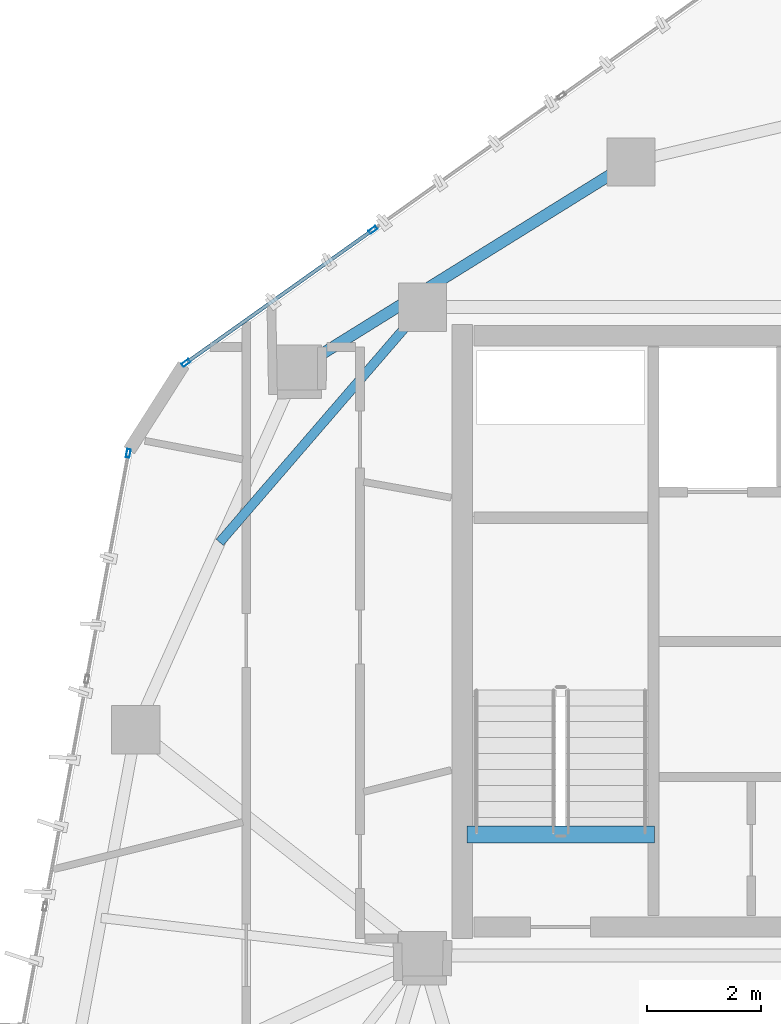
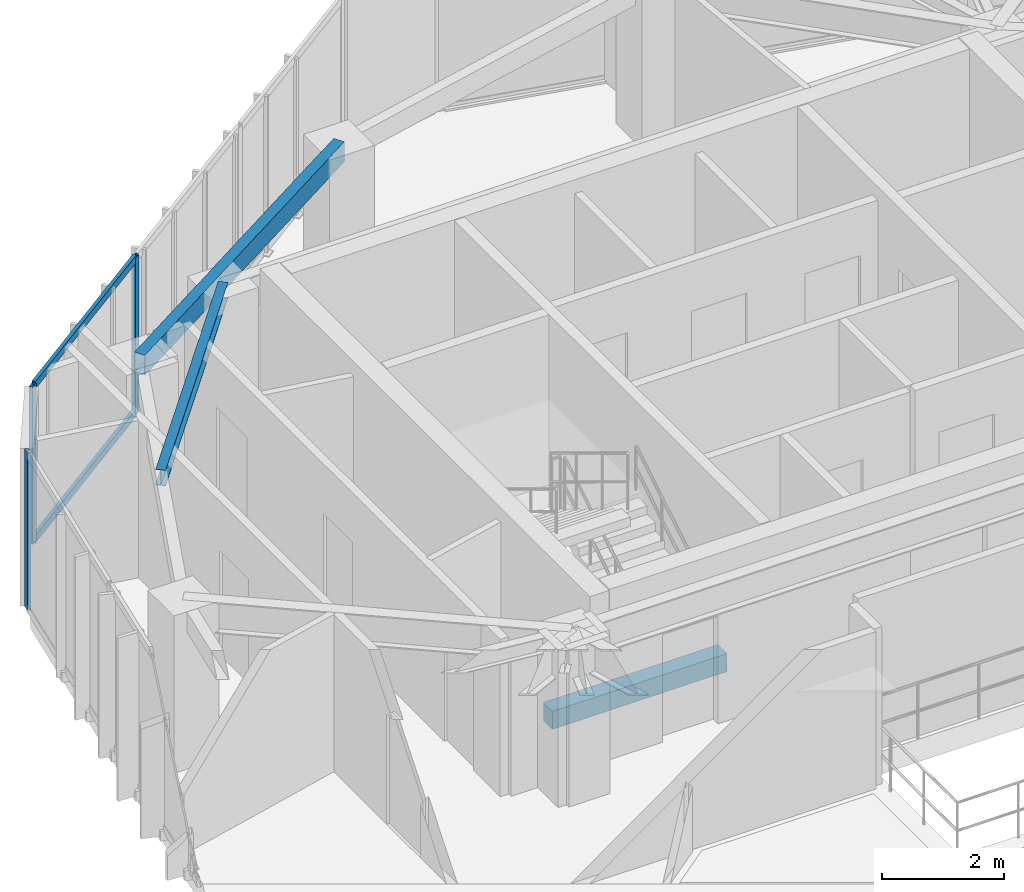
# One storey, part 9 of 19: 5 members, 3 beams, 2 elements without a shape of their own.
"""IFC4 building model written with IfcOpenShell, lengths in metres."""

from ifc_helpers import new_model, si_unit, direction, frame, origin, origin_2d, place, context, subcontext, project, spatial, rectangle, hollow_rectangle, i_section, extrude, source, transform, mapped, material, layer, layer_set, material_profile, profile_set, type_object, type_shapes, element, aggregate, save


model = new_model("IFC4")

# Units and contexts
model_context = context("Model", 3, precision=1e-05, world=origin(), true_north=direction((0.0, 1.0)))
body_context = subcontext(model_context, "Body", "Model", "MODEL_VIEW")
ifc_project = project(units=[si_unit("LENGTHUNIT", "METRE"), si_unit("AREAUNIT", "SQUARE_METRE"), si_unit("VOLUMEUNIT", "CUBIC_METRE"), si_unit("PLANEANGLEUNIT", "RADIAN"), si_unit("MASSUNIT", "GRAM", prefix="KILO")], contexts=[model_context])

# Site, building, storey
site_placement = place(None, origin())
site = spatial("IfcSite", under=ifc_project, at=site_placement, CompositionType="ELEMENT")
building_placement = place(site_placement, origin())
building = spatial("IfcBuilding", under=site, at=building_placement, Name="Talar Marvaseh", CompositionType="ELEMENT")
storey_placement = place(building_placement, frame((0.0, 0.0, 240.800048828125)))
storey = spatial("IfcBuildingStorey", under=building, at=storey_placement, Name="L63", CompositionType="ELEMENT", Elevation=240.800048828125)

# Beams
ifc_material_1 = material(Name="Concrete C40/50", Category="concrete")
ifc_material_profile_1 = material_profile(ifc_material_1, rectangle(XDim=0.300048828125, YDim=0.360107421875, at=origin_2d()), Name="RC300x360")
ifc_profile_set_1 = profile_set([ifc_material_profile_1], Name="Concrete C40/50")
beam_type_1 = type_object("IfcBeamType", Name="Concrete Stair Landing Trimmer Beam RC300x360", PredefinedType="SPANDREL", material=ifc_profile_set_1)
beam_1_placement = place(storey_placement, frame((22.780029296875, 27.6298828125, -0.179931640625), z_axis=(-1.0, 0.0, 0.0), x_axis=(0.0, -1.0, 0.0)))
element("IfcBeam", 1, at=beam_1_placement, inside=storey, type_object=beam_type_1, Name="L63 ST-1 Stair Nosing Trimmer Beam", PredefinedType="SPANDREL", context=body_context, shape_type="SweptSolid", body=[
    extrude(rectangle(XDim=0.300048828125, YDim=0.360107421875, at=origin_2d()), origin(), (0.0, 0.0, 1.0), 3.300048828125),
])
ifc_material_2 = material(Name="Steel S355", Category="steel")
ifc_material_profile_2 = material_profile(ifc_material_2, hollow_rectangle(XDim=0.199951171875, YDim=0.39990234375, WallThickness=0.013916015625, at=origin_2d()), Name="RHS400x200x14")
ifc_profile_set_2 = profile_set([ifc_material_profile_2], Name="Steel S355")
beam_type_2 = type_object("IfcBeamType", Name="Zone 3 Perimeter Spandrel Beam RHS400x200x14", PredefinedType="SPANDREL", material=ifc_profile_set_2)
beam_2_placement = place(storey_placement, frame((16.493896484375, 35.806884765625, 2.93994140625), z_axis=(0.849439811678, 0.527685518407, 0.0), x_axis=(-0.527685518407, 0.849439811678, 0.0)))
element("IfcBeam", 2, at=beam_2_placement, inside=storey, type_object=beam_type_2, Name="L63 Zone 3 Perimeter Spandrel Beam RHS400x200x14", PredefinedType="SPANDREL", context=body_context, shape_type="SweptSolid", body=[
    extrude(hollow_rectangle(XDim=0.199951171875, YDim=0.39990234375, WallThickness=0.013916015625, at=origin_2d()), origin(), (0.0, 0.0, 1.0), 6.91162109375),
])
ifc_material_profile_3 = material_profile(ifc_material_2, i_section(OverallWidth=0.166015625, OverallDepth=0.31298828125, WebThickness=0.006591796875, FlangeThickness=0.01123046875, at=origin_2d()), Name="W310x45")
ifc_profile_set_3 = profile_set([ifc_material_profile_3], Name="Steel S355")
beam_type_3 = type_object("IfcBeamType", Name="Zone 3 Secondary Floor Joist W310x45", PredefinedType="JOIST", material=ifc_profile_set_3)
beam_3_placement = place(storey_placement, frame((15.1328125, 32.76513671875, 2.9833984375), z_axis=(0.653221697747, 0.757166701323, 0.0), x_axis=(-0.757166701323, 0.653221697747, 0.0)))
element("IfcBeam", 3, at=beam_3_placement, inside=storey, type_object=beam_type_3, Name="L63 Zone 3 Secondary Floor Joist W310x45", PredefinedType="JOIST", context=body_context, shape_type="SweptSolid", body=[
    extrude(i_section(OverallWidth=0.166015625, OverallDepth=0.31298828125, WebThickness=0.006591796875, FlangeThickness=0.01123046875, at=origin_2d()), origin(), (0.0, 0.0, 1.0), 5.4609375),
])

# Curtain wall, member
ifc_material_3 = material(Name="Architectural Aluminium", Category="aluminium")
ifc_layer = layer(ifc_material_3, 0.179931640625)
ifc_layer_set = layer_set([ifc_layer], Name="Architectural Aluminium")
curtain_wall_type = type_object("IfcCurtainWallType", Name="Unitised High-Wind Sky Curtain Wall Z4", PredefinedType="NOTDEFINED", material=ifc_layer_set)
curtain_wall_1_placement = place(storey_placement, origin())
curtain_wall_1 = element("IfcCurtainWall", 4, at=curtain_wall_1_placement, inside=storey, type_object=curtain_wall_type, Name="L63 Unitised High-Wind Sky Curtain Wall Z4", PredefinedType="NOTDEFINED")
ifc_material_profile_4 = material_profile(ifc_material_3, hollow_rectangle(XDim=0.06494140625, YDim=0.14990234375, WallThickness=0.00390625, at=origin_2d()), Name="RHS150x65x4")
ifc_profile_set_4 = profile_set([ifc_material_profile_4], Name="Architectural Aluminium")
member_type_1 = type_object("IfcMemberType", Name="Unitised Curtain Wall Slim Mullion RHS150x65x4", PredefinedType="MULLION", material=ifc_profile_set_4)
shared_shape_1 = source(origin(), body_context, "Body", "SweptSolid", [
    extrude(hollow_rectangle(XDim=0.06494140625, YDim=0.14990234375, WallThickness=0.00390625, at=origin_2d()), origin(), (0.0, 0.0, 1.0), 3.139892578125),
])
type_shapes(member_type_1, [shared_shape_1])
member_1_placement = place(storey_placement, frame((13.525634765625, 34.3291015625, 0.0), z_axis=(0.0, 0.0, 1.0), x_axis=(-0.983470699845, 0.181067342572, 0.0)))
member_1 = element("IfcMember", 5, at=member_1_placement, type_object=member_type_1, Name="CW-Z4 mullion 4", PredefinedType="MULLION", context=body_context, shape_type="MappedRepresentation", body=[
    mapped(shared_shape_1, transform((0.0, 0.0, 0.0), x_axis=(1.0, 0.0, 0.0), y_axis=(0.0, 1.0, 0.0), z_axis=(0.0, 0.0, 1.0), scale=1.0)),
])
aggregate(curtain_wall_1, [member_1])

# Curtain wall, members
curtain_wall_2_placement = place(storey_placement, origin())
curtain_wall_2 = element("IfcCurtainWall", 6, at=curtain_wall_2_placement, inside=storey, type_object=curtain_wall_type, Name="L63 Unitised High-Wind Sky Curtain Wall Z4", PredefinedType="NOTDEFINED")
member_2_placement = place(storey_placement, frame((14.538818359375, 35.919677734375, 0.0), z_axis=(0.0, 0.0, 1.0), x_axis=(-0.57974226077, 0.814799920887, 0.0)))
member_2 = element("IfcMember", 7, at=member_2_placement, type_object=member_type_1, Name="CW-Z4 mullion 1", PredefinedType="MULLION", context=body_context, shape_type="MappedRepresentation", body=[
    mapped(shared_shape_1, transform((0.0, 0.0, 0.0), x_axis=(1.0, 0.0, 0.0), y_axis=(0.0, 1.0, 0.0), z_axis=(0.0, 0.0, 1.0), scale=1.0)),
])
member_3_placement = place(storey_placement, frame((17.827392578125, 38.259521484375, 0.0), z_axis=(0.0, 0.0, 1.0), x_axis=(-0.57974226077, 0.814799920887, 0.0)))
member_3 = element("IfcMember", 8, at=member_3_placement, type_object=member_type_1, Name="CW-Z4 mullion 2", PredefinedType="MULLION", context=body_context, shape_type="MappedRepresentation", body=[
    mapped(shared_shape_1, transform((0.0, 0.0, 0.0), x_axis=(1.0, 0.0, 0.0), y_axis=(0.0, 1.0, 0.0), z_axis=(0.0, 0.0, 1.0), scale=1.0)),
])
ifc_material_profile_5 = material_profile(ifc_material_3, hollow_rectangle(XDim=0.06494140625, YDim=0.14990234375, WallThickness=0.00390625, at=origin_2d()), Name="RHS150x65x4")
ifc_profile_set_5 = profile_set([ifc_material_profile_5], Name="Architectural Aluminium")
member_type_2 = type_object("IfcMemberType", Name="Unitised Curtain Wall Slim Transom RHS150x65x4", PredefinedType="USERDEFINED", material=ifc_profile_set_5)
shared_shape_2 = source(origin(), body_context, "Body", "SweptSolid", [
    extrude(hollow_rectangle(XDim=0.06494140625, YDim=0.14990234375, WallThickness=0.00390625, at=origin_2d()), origin(), (0.0, 0.0, 1.0), 3.97119140625),
])
type_shapes(member_type_2, [shared_shape_2])
member_4_placement = place(storey_placement, frame((14.565185546875, 35.9384765625, 0.032470703125), z_axis=(0.814812062414, 0.579725196059, 0.0), x_axis=(-0.579725196059, 0.814812062414, 0.0)))
member_4 = element("IfcMember", 9, at=member_4_placement, type_object=member_type_2, Name="CW-Z4 transom 1.1", ObjectType="TRANSOM", PredefinedType="USERDEFINED", context=body_context, shape_type="MappedRepresentation", body=[
    mapped(shared_shape_2, transform((0.0, 0.0, 0.0), x_axis=(1.0, 0.0, 0.0), y_axis=(0.0, 1.0, 0.0), z_axis=(0.0, 0.0, 1.0), scale=1.0)),
])
member_5_placement = place(storey_placement, frame((14.565185546875, 35.9384765625, 3.107421875), z_axis=(0.814812062414, 0.579725196059, 0.0), x_axis=(-0.579725196059, 0.814812062414, 0.0)))
member_5 = element("IfcMember", 10, at=member_5_placement, type_object=member_type_2, Name="CW-Z4 transom 1.2", ObjectType="TRANSOM", PredefinedType="USERDEFINED", context=body_context, shape_type="MappedRepresentation", body=[
    mapped(shared_shape_2, transform((0.0, 0.0, 0.0), x_axis=(1.0, 0.0, 0.0), y_axis=(0.0, 1.0, 0.0), z_axis=(0.0, 0.0, 1.0), scale=1.0)),
])
aggregate(curtain_wall_2, [member_2, member_3, member_4, member_5])

save(model, "model.ifc")
